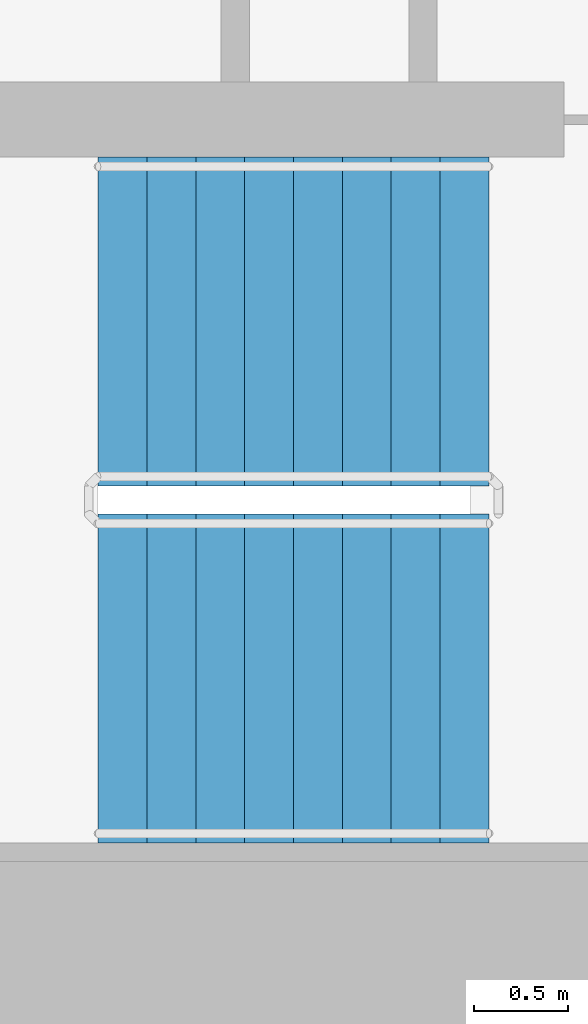
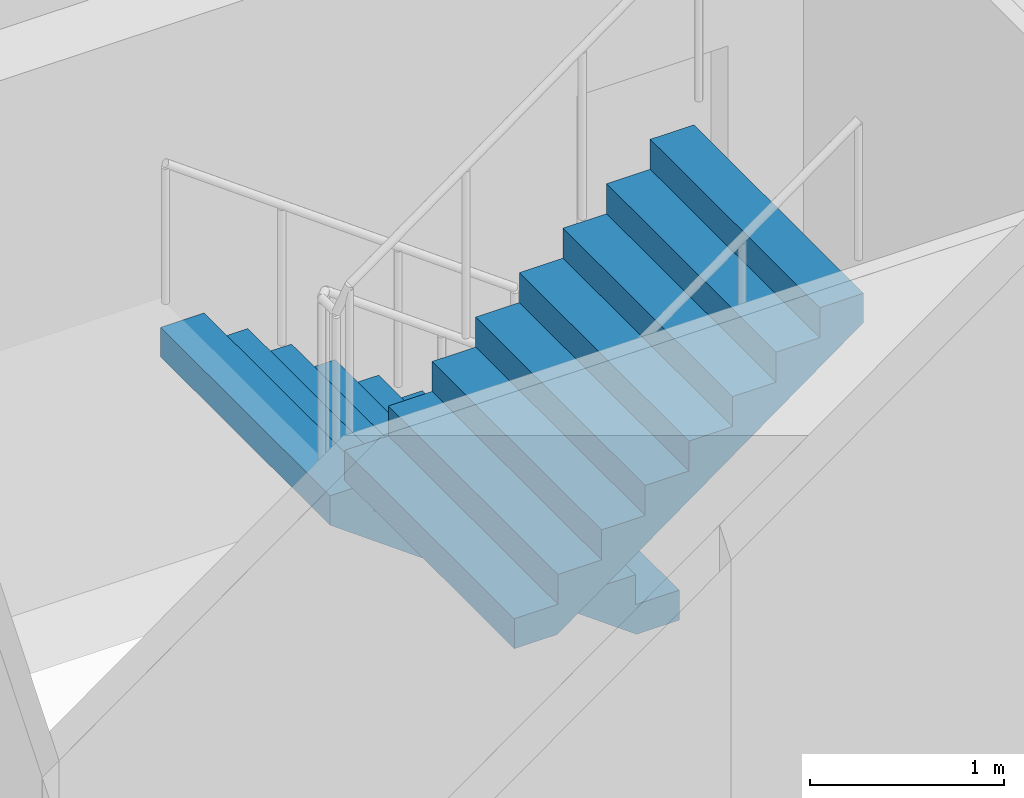
# One storey, part 18 of 25: 2 stair flights, 1 element without a shape of its own.
"""IFC4 building model written with IfcOpenShell, lengths in metres."""

from ifc_helpers import new_model, si_unit, direction, frame, origin, place, context, subcontext, project, spatial, faceted_brep, material, type_object, element, aggregate, save


model = new_model("IFC4")

# Units and contexts
model_context = context("Model", 3, precision=1e-05, world=origin(), true_north=direction((0.0, 1.0)))
body_context = subcontext(model_context, "Body", "Model", "MODEL_VIEW")
ifc_project = project(units=[si_unit("LENGTHUNIT", "METRE"), si_unit("AREAUNIT", "SQUARE_METRE"), si_unit("VOLUMEUNIT", "CUBIC_METRE"), si_unit("PLANEANGLEUNIT", "RADIAN"), si_unit("MASSUNIT", "GRAM", prefix="KILO")], contexts=[model_context])

# Site, building, storey
site_placement = place(None, origin())
site = spatial("IfcSite", under=ifc_project, at=site_placement, CompositionType="ELEMENT")
building_placement = place(site_placement, origin())
building = spatial("IfcBuilding", under=site, at=building_placement, Name="Ipe Terrace Towers", CompositionType="ELEMENT")
storey_placement = place(building_placement, frame((0.0, 0.0, 31.300048828125)))
storey = spatial("IfcBuildingStorey", under=building, at=storey_placement, Name="L07", CompositionType="ELEMENT", Elevation=31.300048828125)

# Stair, stair flights
ifc_material_1 = material(Name="Concrete C30/37", Category="concrete")
stair_type = type_object("IfcStairType", Name="Protected exit stair", PredefinedType="HALF_TURN_STAIR", material=ifc_material_1)
stair_placement = place(storey_placement, origin())
stair = element("IfcStair", 1, at=stair_placement, inside=storey, type_object=stair_type, Name="L07 Exit stair T1-C2", PredefinedType="HALF_TURN_STAIR")
ifc_material_2 = material(Name="Concrete C30/37", Category="concrete")
stair_flight_type = type_object("IfcStairFlightType", Name="Exit stair flight 1750", PredefinedType="STRAIGHT", material=ifc_material_2)
stair_flight_1_placement = place(storey_placement, frame((-45.699951171875, -2.77490234375, 0.0), z_axis=(0.0, 0.0, 1.0), x_axis=(-1.0, 0.0, 0.0)))
stair_flight_1 = element("IfcStairFlight", 2, at=stair_flight_1_placement, type_object=stair_flight_type, Name="T1-ST2 flight 1", NumberOfRisers=9, NumberOfTreads=8, PredefinedType="STRAIGHT", RiserHeight=0.188888889, TreadLength=0.26, context=body_context, shape_type="Brep", body=[
    faceted_brep([(0.255126953125, -0.875, 0.0), (2.080078125, -0.875, 1.325927734375), (2.080078125, -0.875, 1.51123046875), (1.820068359375, -0.875, 1.51123046875), (1.820068359375, -0.875, 1.322265625), (1.56005859375, -0.875, 1.322265625), (1.56005859375, -0.875, 1.13330078125), (1.300048828125, -0.875, 1.13330078125), (1.300048828125, -0.875, 0.9443359375), (1.0400390625, -0.875, 0.9443359375), (1.0400390625, -0.875, 0.755615234375), (0.780029296875, -0.875, 0.755615234375), (0.780029296875, -0.875, 0.566650390625), (0.52001953125, -0.875, 0.566650390625), (0.52001953125, -0.875, 0.377685546875), (0.260009765625, -0.875, 0.377685546875), (0.260009765625, -0.875, 0.18896484375), (0.0, -0.875, 0.18896484375), (0.0, -0.875, 0.0), (0.0, 0.875, 0.0), (0.0, 0.875, 0.18896484375), (0.260009765625, 0.875, 0.18896484375), (0.260009765625, 0.875, 0.377685546875), (0.52001953125, 0.875, 0.377685546875), (0.52001953125, 0.875, 0.566650390625), (0.780029296875, 0.875, 0.566650390625), (0.780029296875, 0.875, 0.755615234375), (1.0400390625, 0.875, 0.755615234375), (1.0400390625, 0.875, 0.9443359375), (1.300048828125, 0.875, 0.9443359375), (1.300048828125, 0.875, 1.13330078125), (1.56005859375, 0.875, 1.13330078125), (1.56005859375, 0.875, 1.322265625), (1.820068359375, 0.875, 1.322265625), (1.820068359375, 0.875, 1.51123046875), (2.080078125, 0.875, 1.51123046875), (2.080078125, 0.875, 1.325927734375), (0.255126953125, 0.875, 0.0), (0.0, -0.300048828125, 0.18896484375), (0.0, -0.1201171875, 0.18896484375), (0.0, -0.06005859375, 0.18896484375), (0.0, -0.030029296875, 0.18896484375), (0.0, -0.010009765625, 0.18896484375), (0.0, 0.0, 0.18896484375), (0.0, 0.010009765625, 0.18896484375), (0.0, 0.030029296875, 0.18896484375), (0.0, 0.06005859375, 0.18896484375), (0.0, 0.1201171875, 0.18896484375), (0.0, 0.300048828125, 0.18896484375), (0.0, 0.300048828125, 0.0), (0.0, 0.1201171875, 0.0), (0.0, 0.06005859375, 0.0), (0.0, 0.030029296875, 0.0), (0.0, 0.010009765625, 0.0), (0.0, 0.0, 0.0), (0.0, -0.010009765625, 0.0), (0.0, -0.030029296875, 0.0), (0.0, -0.06005859375, 0.0), (0.0, -0.1201171875, 0.0), (0.0, -0.300048828125, 0.0), (0.260009765625, -0.300048828125, 0.18896484375), (0.260009765625, -0.1201171875, 0.18896484375), (0.260009765625, -0.06005859375, 0.18896484375), (0.260009765625, -0.030029296875, 0.18896484375), (0.260009765625, -0.010009765625, 0.18896484375), (0.260009765625, 0.0, 0.18896484375), (0.260009765625, 0.010009765625, 0.18896484375), (0.260009765625, 0.030029296875, 0.18896484375), (0.260009765625, 0.06005859375, 0.18896484375), (0.260009765625, 0.1201171875, 0.18896484375), (0.260009765625, 0.300048828125, 0.18896484375), (0.260009765625, -0.300048828125, 0.377685546875), (0.260009765625, -0.1201171875, 0.377685546875), (0.260009765625, -0.06005859375, 0.377685546875), (0.260009765625, -0.030029296875, 0.377685546875), (0.260009765625, -0.010009765625, 0.377685546875), (0.260009765625, 0.0, 0.377685546875), (0.260009765625, 0.010009765625, 0.377685546875), (0.260009765625, 0.030029296875, 0.377685546875), (0.260009765625, 0.06005859375, 0.377685546875), (0.260009765625, 0.1201171875, 0.377685546875), (0.260009765625, 0.300048828125, 0.377685546875), (0.52001953125, -0.300048828125, 0.377685546875), (0.52001953125, -0.1201171875, 0.377685546875), (0.52001953125, -0.06005859375, 0.377685546875), (0.52001953125, -0.030029296875, 0.377685546875), (0.52001953125, -0.010009765625, 0.377685546875), (0.52001953125, 0.0, 0.377685546875), (0.52001953125, 0.010009765625, 0.377685546875), (0.52001953125, 0.030029296875, 0.377685546875), (0.52001953125, 0.06005859375, 0.377685546875), (0.52001953125, 0.1201171875, 0.377685546875), (0.52001953125, 0.300048828125, 0.377685546875), (0.52001953125, -0.300048828125, 0.566650390625), (0.52001953125, -0.1201171875, 0.566650390625), (0.52001953125, -0.06005859375, 0.566650390625), (0.52001953125, -0.030029296875, 0.566650390625), (0.52001953125, -0.010009765625, 0.566650390625), (0.52001953125, 0.0, 0.566650390625), (0.52001953125, 0.010009765625, 0.566650390625), (0.52001953125, 0.030029296875, 0.566650390625), (0.52001953125, 0.06005859375, 0.566650390625), (0.52001953125, 0.1201171875, 0.566650390625), (0.52001953125, 0.300048828125, 0.566650390625), (0.780029296875, -0.300048828125, 0.566650390625), (0.780029296875, -0.1201171875, 0.566650390625), (0.780029296875, -0.06005859375, 0.566650390625), (0.780029296875, -0.030029296875, 0.566650390625), (0.780029296875, -0.010009765625, 0.566650390625), (0.780029296875, 0.0, 0.566650390625), (0.780029296875, 0.010009765625, 0.566650390625), (0.780029296875, 0.030029296875, 0.566650390625), (0.780029296875, 0.06005859375, 0.566650390625), (0.780029296875, 0.1201171875, 0.566650390625), (0.780029296875, 0.300048828125, 0.566650390625), (0.780029296875, -0.300048828125, 0.755615234375), (0.780029296875, -0.1201171875, 0.755615234375), (0.780029296875, -0.06005859375, 0.755615234375), (0.780029296875, -0.030029296875, 0.755615234375), (0.780029296875, -0.010009765625, 0.755615234375), (0.780029296875, 0.0, 0.755615234375), (0.780029296875, 0.010009765625, 0.755615234375), (0.780029296875, 0.030029296875, 0.755615234375), (0.780029296875, 0.06005859375, 0.755615234375), (0.780029296875, 0.1201171875, 0.755615234375), (0.780029296875, 0.300048828125, 0.755615234375), (1.0400390625, -0.300048828125, 0.755615234375), (1.0400390625, -0.1201171875, 0.755615234375), (1.0400390625, -0.06005859375, 0.755615234375), (1.0400390625, -0.030029296875, 0.755615234375), (1.0400390625, -0.010009765625, 0.755615234375), (1.0400390625, 0.0, 0.755615234375), (1.0400390625, 0.010009765625, 0.755615234375), (1.0400390625, 0.030029296875, 0.755615234375), (1.0400390625, 0.06005859375, 0.755615234375), (1.0400390625, 0.1201171875, 0.755615234375), (1.0400390625, 0.300048828125, 0.755615234375), (1.0400390625, -0.300048828125, 0.9443359375), (1.0400390625, -0.1201171875, 0.9443359375), (1.0400390625, -0.06005859375, 0.9443359375), (1.0400390625, -0.030029296875, 0.9443359375), (1.0400390625, -0.010009765625, 0.9443359375), (1.0400390625, 0.0, 0.9443359375), (1.0400390625, 0.010009765625, 0.9443359375), (1.0400390625, 0.030029296875, 0.9443359375), (1.0400390625, 0.06005859375, 0.9443359375), (1.0400390625, 0.1201171875, 0.9443359375), (1.0400390625, 0.300048828125, 0.9443359375), (1.300048828125, -0.300048828125, 0.9443359375), (1.300048828125, -0.1201171875, 0.9443359375), (1.300048828125, -0.06005859375, 0.9443359375), (1.300048828125, -0.030029296875, 0.9443359375), (1.300048828125, -0.010009765625, 0.9443359375), (1.300048828125, 0.0, 0.9443359375), (1.300048828125, 0.010009765625, 0.9443359375), (1.300048828125, 0.030029296875, 0.9443359375), (1.300048828125, 0.06005859375, 0.9443359375), (1.300048828125, 0.1201171875, 0.9443359375), (1.300048828125, 0.300048828125, 0.9443359375), (1.300048828125, -0.300048828125, 1.13330078125), (1.300048828125, -0.1201171875, 1.13330078125), (1.300048828125, -0.06005859375, 1.13330078125), (1.300048828125, -0.030029296875, 1.13330078125), (1.300048828125, -0.010009765625, 1.13330078125), (1.300048828125, 0.0, 1.13330078125), (1.300048828125, 0.010009765625, 1.13330078125), (1.300048828125, 0.030029296875, 1.13330078125), (1.300048828125, 0.06005859375, 1.13330078125), (1.300048828125, 0.1201171875, 1.13330078125), (1.300048828125, 0.300048828125, 1.13330078125), (1.56005859375, -0.300048828125, 1.13330078125), (1.56005859375, -0.1201171875, 1.13330078125), (1.56005859375, -0.06005859375, 1.13330078125), (1.56005859375, -0.030029296875, 1.13330078125), (1.56005859375, -0.010009765625, 1.13330078125), (1.56005859375, 0.0, 1.13330078125), (1.56005859375, 0.010009765625, 1.13330078125), (1.56005859375, 0.030029296875, 1.13330078125), (1.56005859375, 0.06005859375, 1.13330078125), (1.56005859375, 0.1201171875, 1.13330078125), (1.56005859375, 0.300048828125, 1.13330078125), (1.56005859375, -0.300048828125, 1.322265625), (1.56005859375, -0.1201171875, 1.322265625), (1.56005859375, -0.06005859375, 1.322265625), (1.56005859375, -0.030029296875, 1.322265625), (1.56005859375, -0.010009765625, 1.322265625), (1.56005859375, 0.0, 1.322265625), (1.56005859375, 0.010009765625, 1.322265625), (1.56005859375, 0.030029296875, 1.322265625), (1.56005859375, 0.06005859375, 1.322265625), (1.56005859375, 0.1201171875, 1.322265625), (1.56005859375, 0.300048828125, 1.322265625), (1.820068359375, -0.300048828125, 1.322265625), (1.820068359375, -0.1201171875, 1.322265625), (1.820068359375, -0.06005859375, 1.322265625), (1.820068359375, -0.030029296875, 1.322265625), (1.820068359375, -0.010009765625, 1.322265625), (1.820068359375, 0.0, 1.322265625), (1.820068359375, 0.010009765625, 1.322265625), (1.820068359375, 0.030029296875, 1.322265625), (1.820068359375, 0.06005859375, 1.322265625), (1.820068359375, 0.1201171875, 1.322265625), (1.820068359375, 0.300048828125, 1.322265625), (1.820068359375, -0.300048828125, 1.51123046875), (1.820068359375, -0.1201171875, 1.51123046875), (1.820068359375, -0.06005859375, 1.51123046875), (1.820068359375, -0.030029296875, 1.51123046875), (1.820068359375, -0.010009765625, 1.51123046875), (1.820068359375, 0.0, 1.51123046875), (1.820068359375, 0.010009765625, 1.51123046875), (1.820068359375, 0.030029296875, 1.51123046875), (1.820068359375, 0.06005859375, 1.51123046875), (1.820068359375, 0.1201171875, 1.51123046875), (1.820068359375, 0.300048828125, 1.51123046875), (2.080078125, -0.300048828125, 1.51123046875), (2.080078125, -0.1201171875, 1.51123046875), (2.080078125, -0.06005859375, 1.51123046875), (2.080078125, -0.030029296875, 1.51123046875), (2.080078125, -0.010009765625, 1.51123046875), (2.080078125, 0.0, 1.51123046875), (2.080078125, 0.010009765625, 1.51123046875), (2.080078125, 0.030029296875, 1.51123046875), (2.080078125, 0.06005859375, 1.51123046875), (2.080078125, 0.1201171875, 1.51123046875), (2.080078125, 0.300048828125, 1.51123046875), (2.080078125, -0.300048828125, 1.325927734375), (2.080078125, -0.1201171875, 1.325927734375), (2.080078125, -0.06005859375, 1.325927734375), (2.080078125, -0.030029296875, 1.325927734375), (2.080078125, -0.010009765625, 1.325927734375), (2.080078125, 0.0, 1.325927734375), (2.080078125, 0.010009765625, 1.325927734375), (2.080078125, 0.030029296875, 1.325927734375), (2.080078125, 0.06005859375, 1.325927734375), (2.080078125, 0.1201171875, 1.325927734375), (2.080078125, 0.300048828125, 1.325927734375), (0.255126953125, -0.300048828125, 0.0), (0.255126953125, -0.1201171875, 0.0), (0.255126953125, -0.06005859375, 0.0), (0.255126953125, -0.030029296875, 0.0), (0.255126953125, -0.010009765625, 0.0), (0.255126953125, 0.0, 0.0), (0.255126953125, 0.010009765625, 0.0), (0.255126953125, 0.030029296875, 0.0), (0.255126953125, 0.06005859375, 0.0), (0.255126953125, 0.1201171875, 0.0), (0.255126953125, 0.300048828125, 0.0)], [[[0, 1, 2, 3, 4, 5, 6, 7, 8, 9, 10, 11, 12, 13, 14, 15, 16, 17, 18]], [[19, 20, 21, 22, 23, 24, 25, 26, 27, 28, 29, 30, 31, 32, 33, 34, 35, 36, 37]], [[17, 38, 39, 40, 41, 42, 43, 44, 45, 46, 47, 48, 20, 19, 49, 50, 51, 52, 53, 54, 55, 56, 57, 58, 59, 18]], [[16, 60, 61, 62, 63, 64, 65, 66, 67, 68, 69, 70, 21, 20, 48, 47, 46, 45, 44, 43, 42, 41, 40, 39, 38, 17]], [[15, 71, 72, 73, 74, 75, 76, 77, 78, 79, 80, 81, 22, 21, 70, 69, 68, 67, 66, 65, 64, 63, 62, 61, 60, 16]], [[14, 82, 83, 84, 85, 86, 87, 88, 89, 90, 91, 92, 23, 22, 81, 80, 79, 78, 77, 76, 75, 74, 73, 72, 71, 15]], [[13, 93, 94, 95, 96, 97, 98, 99, 100, 101, 102, 103, 24, 23, 92, 91, 90, 89, 88, 87, 86, 85, 84, 83, 82, 14]], [[12, 104, 105, 106, 107, 108, 109, 110, 111, 112, 113, 114, 25, 24, 103, 102, 101, 100, 99, 98, 97, 96, 95, 94, 93, 13]], [[11, 115, 116, 117, 118, 119, 120, 121, 122, 123, 124, 125, 26, 25, 114, 113, 112, 111, 110, 109, 108, 107, 106, 105, 104, 12]], [[10, 126, 127, 128, 129, 130, 131, 132, 133, 134, 135, 136, 27, 26, 125, 124, 123, 122, 121, 120, 119, 118, 117, 116, 115, 11]], [[9, 137, 138, 139, 140, 141, 142, 143, 144, 145, 146, 147, 28, 27, 136, 135, 134, 133, 132, 131, 130, 129, 128, 127, 126, 10]], [[8, 148, 149, 150, 151, 152, 153, 154, 155, 156, 157, 158, 29, 28, 147, 146, 145, 144, 143, 142, 141, 140, 139, 138, 137, 9]], [[7, 159, 160, 161, 162, 163, 164, 165, 166, 167, 168, 169, 30, 29, 158, 157, 156, 155, 154, 153, 152, 151, 150, 149, 148, 8]], [[6, 170, 171, 172, 173, 174, 175, 176, 177, 178, 179, 180, 31, 30, 169, 168, 167, 166, 165, 164, 163, 162, 161, 160, 159, 7]], [[5, 181, 182, 183, 184, 185, 186, 187, 188, 189, 190, 191, 32, 31, 180, 179, 178, 177, 176, 175, 174, 173, 172, 171, 170, 6]], [[4, 192, 193, 194, 195, 196, 197, 198, 199, 200, 201, 202, 33, 32, 191, 190, 189, 188, 187, 186, 185, 184, 183, 182, 181, 5]], [[3, 203, 204, 205, 206, 207, 208, 209, 210, 211, 212, 213, 34, 33, 202, 201, 200, 199, 198, 197, 196, 195, 194, 193, 192, 4]], [[2, 214, 215, 216, 217, 218, 219, 220, 221, 222, 223, 224, 35, 34, 213, 212, 211, 210, 209, 208, 207, 206, 205, 204, 203, 3]], [[1, 225, 226, 227, 228, 229, 230, 231, 232, 233, 234, 235, 36, 35, 224, 223, 222, 221, 220, 219, 218, 217, 216, 215, 214, 2]], [[0, 236, 237, 238, 239, 240, 241, 242, 243, 244, 245, 246, 37, 36, 235, 234, 233, 232, 231, 230, 229, 228, 227, 226, 225, 1]], [[18, 59, 58, 57, 56, 55, 54, 53, 52, 51, 50, 49, 19, 37, 246, 245, 244, 243, 242, 241, 240, 239, 238, 237, 236, 0]]]),
])
stair_flight_2_placement = place(storey_placement, frame((-47.780029296875, -4.675048828125, 1.699951171875), z_axis=(0.0, 0.0, 1.0), x_axis=(1.0, 0.0, 0.0)))
stair_flight_2 = element("IfcStairFlight", 3, at=stair_flight_2_placement, type_object=stair_flight_type, Name="T1-ST2 flight 2", NumberOfRisers=9, NumberOfTreads=8, PredefinedType="STRAIGHT", RiserHeight=0.188888889, TreadLength=0.26, context=body_context, shape_type="Brep", body=[
    faceted_brep([(0.255126953125, -0.875, 0.0), (2.080078125, -0.875, 1.325927734375), (2.080078125, -0.875, 1.51123046875), (1.820068359375, -0.875, 1.51123046875), (1.820068359375, -0.875, 1.322265625), (1.56005859375, -0.875, 1.322265625), (1.56005859375, -0.875, 1.13330078125), (1.300048828125, -0.875, 1.13330078125), (1.300048828125, -0.875, 0.9443359375), (1.0400390625, -0.875, 0.9443359375), (1.0400390625, -0.875, 0.755615234375), (0.780029296875, -0.875, 0.755615234375), (0.780029296875, -0.875, 0.566650390625), (0.52001953125, -0.875, 0.566650390625), (0.52001953125, -0.875, 0.377685546875), (0.260009765625, -0.875, 0.377685546875), (0.260009765625, -0.875, 0.18896484375), (0.0, -0.875, 0.18896484375), (0.0, -0.875, 0.0), (0.0, 0.875, 0.0), (0.0, 0.875, 0.18896484375), (0.260009765625, 0.875, 0.18896484375), (0.260009765625, 0.875, 0.377685546875), (0.52001953125, 0.875, 0.377685546875), (0.52001953125, 0.875, 0.566650390625), (0.780029296875, 0.875, 0.566650390625), (0.780029296875, 0.875, 0.755615234375), (1.0400390625, 0.875, 0.755615234375), (1.0400390625, 0.875, 0.9443359375), (1.300048828125, 0.875, 0.9443359375), (1.300048828125, 0.875, 1.13330078125), (1.56005859375, 0.875, 1.13330078125), (1.56005859375, 0.875, 1.322265625), (1.820068359375, 0.875, 1.322265625), (1.820068359375, 0.875, 1.51123046875), (2.080078125, 0.875, 1.51123046875), (2.080078125, 0.875, 1.325927734375), (0.255126953125, 0.875, 0.0), (0.0, -0.300048828125, 0.18896484375), (0.0, -0.1201171875, 0.18896484375), (0.0, -0.06005859375, 0.18896484375), (0.0, -0.030029296875, 0.18896484375), (0.0, -0.010009765625, 0.18896484375), (0.0, 0.0, 0.18896484375), (0.0, 0.010009765625, 0.18896484375), (0.0, 0.030029296875, 0.18896484375), (0.0, 0.06005859375, 0.18896484375), (0.0, 0.1201171875, 0.18896484375), (0.0, 0.300048828125, 0.18896484375), (0.0, 0.300048828125, 0.0), (0.0, 0.1201171875, 0.0), (0.0, 0.06005859375, 0.0), (0.0, 0.030029296875, 0.0), (0.0, 0.010009765625, 0.0), (0.0, 0.0, 0.0), (0.0, -0.010009765625, 0.0), (0.0, -0.030029296875, 0.0), (0.0, -0.06005859375, 0.0), (0.0, -0.1201171875, 0.0), (0.0, -0.300048828125, 0.0), (0.260009765625, -0.300048828125, 0.18896484375), (0.260009765625, -0.1201171875, 0.18896484375), (0.260009765625, -0.06005859375, 0.18896484375), (0.260009765625, -0.030029296875, 0.18896484375), (0.260009765625, -0.010009765625, 0.18896484375), (0.260009765625, 0.0, 0.18896484375), (0.260009765625, 0.010009765625, 0.18896484375), (0.260009765625, 0.030029296875, 0.18896484375), (0.260009765625, 0.06005859375, 0.18896484375), (0.260009765625, 0.1201171875, 0.18896484375), (0.260009765625, 0.300048828125, 0.18896484375), (0.260009765625, -0.300048828125, 0.377685546875), (0.260009765625, -0.1201171875, 0.377685546875), (0.260009765625, -0.06005859375, 0.377685546875), (0.260009765625, -0.030029296875, 0.377685546875), (0.260009765625, -0.010009765625, 0.377685546875), (0.260009765625, 0.0, 0.377685546875), (0.260009765625, 0.010009765625, 0.377685546875), (0.260009765625, 0.030029296875, 0.377685546875), (0.260009765625, 0.06005859375, 0.377685546875), (0.260009765625, 0.1201171875, 0.377685546875), (0.260009765625, 0.300048828125, 0.377685546875), (0.52001953125, -0.300048828125, 0.377685546875), (0.52001953125, -0.1201171875, 0.377685546875), (0.52001953125, -0.06005859375, 0.377685546875), (0.52001953125, -0.030029296875, 0.377685546875), (0.52001953125, -0.010009765625, 0.377685546875), (0.52001953125, 0.0, 0.377685546875), (0.52001953125, 0.010009765625, 0.377685546875), (0.52001953125, 0.030029296875, 0.377685546875), (0.52001953125, 0.06005859375, 0.377685546875), (0.52001953125, 0.1201171875, 0.377685546875), (0.52001953125, 0.300048828125, 0.377685546875), (0.52001953125, -0.300048828125, 0.566650390625), (0.52001953125, -0.1201171875, 0.566650390625), (0.52001953125, -0.06005859375, 0.566650390625), (0.52001953125, -0.030029296875, 0.566650390625), (0.52001953125, -0.010009765625, 0.566650390625), (0.52001953125, 0.0, 0.566650390625), (0.52001953125, 0.010009765625, 0.566650390625), (0.52001953125, 0.030029296875, 0.566650390625), (0.52001953125, 0.06005859375, 0.566650390625), (0.52001953125, 0.1201171875, 0.566650390625), (0.52001953125, 0.300048828125, 0.566650390625), (0.780029296875, -0.300048828125, 0.566650390625), (0.780029296875, -0.1201171875, 0.566650390625), (0.780029296875, -0.06005859375, 0.566650390625), (0.780029296875, -0.030029296875, 0.566650390625), (0.780029296875, -0.010009765625, 0.566650390625), (0.780029296875, 0.0, 0.566650390625), (0.780029296875, 0.010009765625, 0.566650390625), (0.780029296875, 0.030029296875, 0.566650390625), (0.780029296875, 0.06005859375, 0.566650390625), (0.780029296875, 0.1201171875, 0.566650390625), (0.780029296875, 0.300048828125, 0.566650390625), (0.780029296875, -0.300048828125, 0.755615234375), (0.780029296875, -0.1201171875, 0.755615234375), (0.780029296875, -0.06005859375, 0.755615234375), (0.780029296875, -0.030029296875, 0.755615234375), (0.780029296875, -0.010009765625, 0.755615234375), (0.780029296875, 0.0, 0.755615234375), (0.780029296875, 0.010009765625, 0.755615234375), (0.780029296875, 0.030029296875, 0.755615234375), (0.780029296875, 0.06005859375, 0.755615234375), (0.780029296875, 0.1201171875, 0.755615234375), (0.780029296875, 0.300048828125, 0.755615234375), (1.0400390625, -0.300048828125, 0.755615234375), (1.0400390625, -0.1201171875, 0.755615234375), (1.0400390625, -0.06005859375, 0.755615234375), (1.0400390625, -0.030029296875, 0.755615234375), (1.0400390625, -0.010009765625, 0.755615234375), (1.0400390625, 0.0, 0.755615234375), (1.0400390625, 0.010009765625, 0.755615234375), (1.0400390625, 0.030029296875, 0.755615234375), (1.0400390625, 0.06005859375, 0.755615234375), (1.0400390625, 0.1201171875, 0.755615234375), (1.0400390625, 0.300048828125, 0.755615234375), (1.0400390625, -0.300048828125, 0.9443359375), (1.0400390625, -0.1201171875, 0.9443359375), (1.0400390625, -0.06005859375, 0.9443359375), (1.0400390625, -0.030029296875, 0.9443359375), (1.0400390625, -0.010009765625, 0.9443359375), (1.0400390625, 0.0, 0.9443359375), (1.0400390625, 0.010009765625, 0.9443359375), (1.0400390625, 0.030029296875, 0.9443359375), (1.0400390625, 0.06005859375, 0.9443359375), (1.0400390625, 0.1201171875, 0.9443359375), (1.0400390625, 0.300048828125, 0.9443359375), (1.300048828125, -0.300048828125, 0.9443359375), (1.300048828125, -0.1201171875, 0.9443359375), (1.300048828125, -0.06005859375, 0.9443359375), (1.300048828125, -0.030029296875, 0.9443359375), (1.300048828125, -0.010009765625, 0.9443359375), (1.300048828125, 0.0, 0.9443359375), (1.300048828125, 0.010009765625, 0.9443359375), (1.300048828125, 0.030029296875, 0.9443359375), (1.300048828125, 0.06005859375, 0.9443359375), (1.300048828125, 0.1201171875, 0.9443359375), (1.300048828125, 0.300048828125, 0.9443359375), (1.300048828125, -0.300048828125, 1.13330078125), (1.300048828125, -0.1201171875, 1.13330078125), (1.300048828125, -0.06005859375, 1.13330078125), (1.300048828125, -0.030029296875, 1.13330078125), (1.300048828125, -0.010009765625, 1.13330078125), (1.300048828125, 0.0, 1.13330078125), (1.300048828125, 0.010009765625, 1.13330078125), (1.300048828125, 0.030029296875, 1.13330078125), (1.300048828125, 0.06005859375, 1.13330078125), (1.300048828125, 0.1201171875, 1.13330078125), (1.300048828125, 0.300048828125, 1.13330078125), (1.56005859375, -0.300048828125, 1.13330078125), (1.56005859375, -0.1201171875, 1.13330078125), (1.56005859375, -0.06005859375, 1.13330078125), (1.56005859375, -0.030029296875, 1.13330078125), (1.56005859375, -0.010009765625, 1.13330078125), (1.56005859375, 0.0, 1.13330078125), (1.56005859375, 0.010009765625, 1.13330078125), (1.56005859375, 0.030029296875, 1.13330078125), (1.56005859375, 0.06005859375, 1.13330078125), (1.56005859375, 0.1201171875, 1.13330078125), (1.56005859375, 0.300048828125, 1.13330078125), (1.56005859375, -0.300048828125, 1.322265625), (1.56005859375, -0.1201171875, 1.322265625), (1.56005859375, -0.06005859375, 1.322265625), (1.56005859375, -0.030029296875, 1.322265625), (1.56005859375, -0.010009765625, 1.322265625), (1.56005859375, 0.0, 1.322265625), (1.56005859375, 0.010009765625, 1.322265625), (1.56005859375, 0.030029296875, 1.322265625), (1.56005859375, 0.06005859375, 1.322265625), (1.56005859375, 0.1201171875, 1.322265625), (1.56005859375, 0.300048828125, 1.322265625), (1.820068359375, -0.300048828125, 1.322265625), (1.820068359375, -0.1201171875, 1.322265625), (1.820068359375, -0.06005859375, 1.322265625), (1.820068359375, -0.030029296875, 1.322265625), (1.820068359375, -0.010009765625, 1.322265625), (1.820068359375, 0.0, 1.322265625), (1.820068359375, 0.010009765625, 1.322265625), (1.820068359375, 0.030029296875, 1.322265625), (1.820068359375, 0.06005859375, 1.322265625), (1.820068359375, 0.1201171875, 1.322265625), (1.820068359375, 0.300048828125, 1.322265625), (1.820068359375, -0.300048828125, 1.51123046875), (1.820068359375, -0.1201171875, 1.51123046875), (1.820068359375, -0.06005859375, 1.51123046875), (1.820068359375, -0.030029296875, 1.51123046875), (1.820068359375, -0.010009765625, 1.51123046875), (1.820068359375, 0.0, 1.51123046875), (1.820068359375, 0.010009765625, 1.51123046875), (1.820068359375, 0.030029296875, 1.51123046875), (1.820068359375, 0.06005859375, 1.51123046875), (1.820068359375, 0.1201171875, 1.51123046875), (1.820068359375, 0.300048828125, 1.51123046875), (2.080078125, -0.300048828125, 1.51123046875), (2.080078125, -0.1201171875, 1.51123046875), (2.080078125, -0.06005859375, 1.51123046875), (2.080078125, -0.030029296875, 1.51123046875), (2.080078125, -0.010009765625, 1.51123046875), (2.080078125, 0.0, 1.51123046875), (2.080078125, 0.010009765625, 1.51123046875), (2.080078125, 0.030029296875, 1.51123046875), (2.080078125, 0.06005859375, 1.51123046875), (2.080078125, 0.1201171875, 1.51123046875), (2.080078125, 0.300048828125, 1.51123046875), (2.080078125, -0.300048828125, 1.325927734375), (2.080078125, -0.1201171875, 1.325927734375), (2.080078125, -0.06005859375, 1.325927734375), (2.080078125, -0.030029296875, 1.325927734375), (2.080078125, -0.010009765625, 1.325927734375), (2.080078125, 0.0, 1.325927734375), (2.080078125, 0.010009765625, 1.325927734375), (2.080078125, 0.030029296875, 1.325927734375), (2.080078125, 0.06005859375, 1.325927734375), (2.080078125, 0.1201171875, 1.325927734375), (2.080078125, 0.300048828125, 1.325927734375), (0.255126953125, -0.300048828125, 0.0), (0.255126953125, -0.1201171875, 0.0), (0.255126953125, -0.06005859375, 0.0), (0.255126953125, -0.030029296875, 0.0), (0.255126953125, -0.010009765625, 0.0), (0.255126953125, 0.0, 0.0), (0.255126953125, 0.010009765625, 0.0), (0.255126953125, 0.030029296875, 0.0), (0.255126953125, 0.06005859375, 0.0), (0.255126953125, 0.1201171875, 0.0), (0.255126953125, 0.300048828125, 0.0)], [[[0, 1, 2, 3, 4, 5, 6, 7, 8, 9, 10, 11, 12, 13, 14, 15, 16, 17, 18]], [[19, 20, 21, 22, 23, 24, 25, 26, 27, 28, 29, 30, 31, 32, 33, 34, 35, 36, 37]], [[17, 38, 39, 40, 41, 42, 43, 44, 45, 46, 47, 48, 20, 19, 49, 50, 51, 52, 53, 54, 55, 56, 57, 58, 59, 18]], [[16, 60, 61, 62, 63, 64, 65, 66, 67, 68, 69, 70, 21, 20, 48, 47, 46, 45, 44, 43, 42, 41, 40, 39, 38, 17]], [[15, 71, 72, 73, 74, 75, 76, 77, 78, 79, 80, 81, 22, 21, 70, 69, 68, 67, 66, 65, 64, 63, 62, 61, 60, 16]], [[14, 82, 83, 84, 85, 86, 87, 88, 89, 90, 91, 92, 23, 22, 81, 80, 79, 78, 77, 76, 75, 74, 73, 72, 71, 15]], [[13, 93, 94, 95, 96, 97, 98, 99, 100, 101, 102, 103, 24, 23, 92, 91, 90, 89, 88, 87, 86, 85, 84, 83, 82, 14]], [[12, 104, 105, 106, 107, 108, 109, 110, 111, 112, 113, 114, 25, 24, 103, 102, 101, 100, 99, 98, 97, 96, 95, 94, 93, 13]], [[11, 115, 116, 117, 118, 119, 120, 121, 122, 123, 124, 125, 26, 25, 114, 113, 112, 111, 110, 109, 108, 107, 106, 105, 104, 12]], [[10, 126, 127, 128, 129, 130, 131, 132, 133, 134, 135, 136, 27, 26, 125, 124, 123, 122, 121, 120, 119, 118, 117, 116, 115, 11]], [[9, 137, 138, 139, 140, 141, 142, 143, 144, 145, 146, 147, 28, 27, 136, 135, 134, 133, 132, 131, 130, 129, 128, 127, 126, 10]], [[8, 148, 149, 150, 151, 152, 153, 154, 155, 156, 157, 158, 29, 28, 147, 146, 145, 144, 143, 142, 141, 140, 139, 138, 137, 9]], [[7, 159, 160, 161, 162, 163, 164, 165, 166, 167, 168, 169, 30, 29, 158, 157, 156, 155, 154, 153, 152, 151, 150, 149, 148, 8]], [[6, 170, 171, 172, 173, 174, 175, 176, 177, 178, 179, 180, 31, 30, 169, 168, 167, 166, 165, 164, 163, 162, 161, 160, 159, 7]], [[5, 181, 182, 183, 184, 185, 186, 187, 188, 189, 190, 191, 32, 31, 180, 179, 178, 177, 176, 175, 174, 173, 172, 171, 170, 6]], [[4, 192, 193, 194, 195, 196, 197, 198, 199, 200, 201, 202, 33, 32, 191, 190, 189, 188, 187, 186, 185, 184, 183, 182, 181, 5]], [[3, 203, 204, 205, 206, 207, 208, 209, 210, 211, 212, 213, 34, 33, 202, 201, 200, 199, 198, 197, 196, 195, 194, 193, 192, 4]], [[2, 214, 215, 216, 217, 218, 219, 220, 221, 222, 223, 224, 35, 34, 213, 212, 211, 210, 209, 208, 207, 206, 205, 204, 203, 3]], [[1, 225, 226, 227, 228, 229, 230, 231, 232, 233, 234, 235, 36, 35, 224, 223, 222, 221, 220, 219, 218, 217, 216, 215, 214, 2]], [[0, 236, 237, 238, 239, 240, 241, 242, 243, 244, 245, 246, 37, 36, 235, 234, 233, 232, 231, 230, 229, 228, 227, 226, 225, 1]], [[18, 59, 58, 57, 56, 55, 54, 53, 52, 51, 50, 49, 19, 37, 246, 245, 244, 243, 242, 241, 240, 239, 238, 237, 236, 0]]]),
])
aggregate(stair, [stair_flight_1, stair_flight_2])

save(model, "model.ifc")
